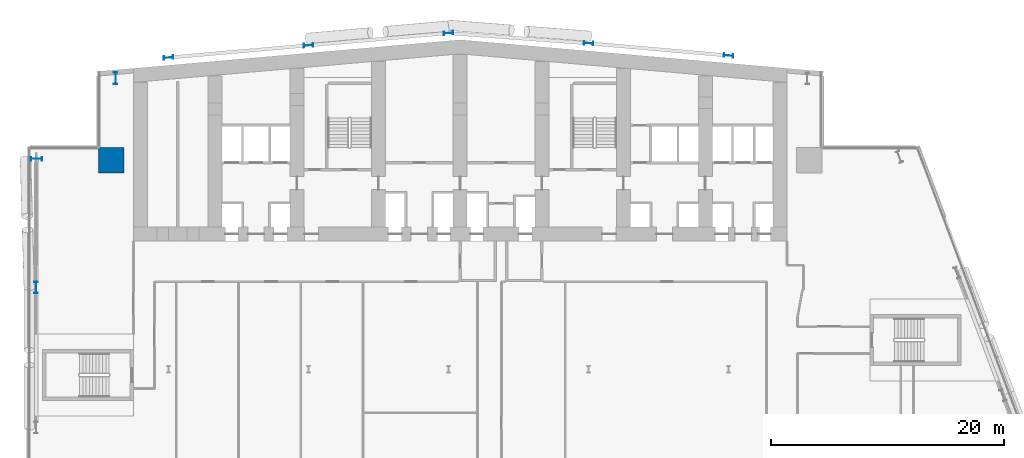
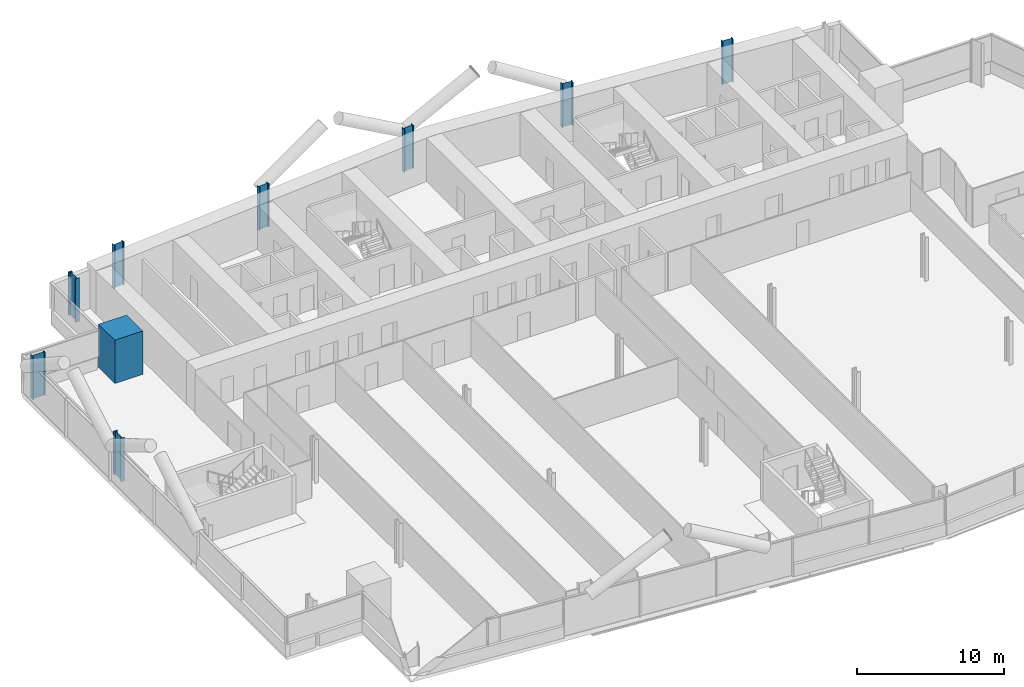
# One storey, part 2 of 24: 9 columns.
"""IFC4 building model written with IfcOpenShell, lengths in metres."""

from ifc_helpers import new_model, si_unit, direction, frame, origin, origin_2d, place, context, subcontext, project, spatial, rectangle, i_section, extrude, material, material_profile, profile_set, type_object, element, save


model = new_model("IFC4")

# Units and contexts
model_context = context("Model", 3, precision=1e-05, world=origin(), true_north=direction((0.0, 1.0)))
body_context = subcontext(model_context, "Body", "Model", "MODEL_VIEW")
ifc_project = project(units=[si_unit("LENGTHUNIT", "METRE"), si_unit("AREAUNIT", "SQUARE_METRE"), si_unit("VOLUMEUNIT", "CUBIC_METRE"), si_unit("PLANEANGLEUNIT", "RADIAN"), si_unit("MASSUNIT", "GRAM", prefix="KILO")], contexts=[model_context])

# Site, building, storey
site_placement = place(None, origin())
site = spatial("IfcSite", under=ifc_project, at=site_placement, CompositionType="ELEMENT")
building_placement = place(site_placement, origin())
building = spatial("IfcBuilding", under=site, at=building_placement, Name="Wharfspan Tower", CompositionType="ELEMENT")
storey_placement = place(building_placement, frame((0.0, 0.0, 66.699951)))
storey = spatial("IfcBuildingStorey", under=building, at=storey_placement, Name="L13", CompositionType="ELEMENT", Elevation=66.699951)

# Columns
ifc_material_1 = material(Name="Steel S355J2", Category="steel")
ifc_material_profile_1 = material_profile(ifc_material_1, i_section(OverallWidth=0.302002, OverallDepth=1.008057, WebThickness=0.020996, FlangeThickness=0.040039, FilletRadius=0.030029, at=origin_2d()))
ifc_profile_set_1 = profile_set([ifc_material_profile_1], Name="Steel S355J2")
column_type_1 = type_object("IfcColumnType", Name="Column HEM 1000", PredefinedType="COLUMN", material=ifc_profile_set_1)
for number, where, z_axis, x_axis, name in (
    (1, (7.466553, 47.933594, 0.0), (0.0, 0.0, 1.0), (-1.0, 0.0, 0.0), "Perimeter column PNRW-V.1 L13"),
    (2, (0.684814, 41.03418, 0.0), (0.0, 0.0, 1.0), (0.0, 1.0, 0.0), "Perimeter column PNRW-H.1 L13"),
    (3, (0.659912, 30.0, 0.0), (0.0, 0.0, 1.0), (-1.0, 0.0, 0.0), "Perimeter column PW.1 L13"),
):
    element("IfcColumn", number, at=place(storey_placement, frame(where, z_axis=z_axis, x_axis=x_axis)), inside=storey, type_object=column_type_1, Name=name, PredefinedType="COLUMN", context=body_context, shape_type="SweptSolid", body=[
        extrude(i_section(OverallWidth=0.302002, OverallDepth=1.008057, WebThickness=0.020996, FlangeThickness=0.040039, FilletRadius=0.030029, at=origin_2d()), origin(), (0.0, 0.0, 1.0), 3.600098),
    ])
ifc_material_profile_2 = material_profile(ifc_material_1, i_section(OverallWidth=0.302979, OverallDepth=0.813965, WebThickness=0.020996, FlangeThickness=0.040039, FilletRadius=0.030029, at=origin_2d()))
ifc_profile_set_2 = profile_set([ifc_material_profile_2], Name="Steel S355J2")
column_type_2 = type_object("IfcColumnType", Name="Column HEM 800", PredefinedType="COLUMN", material=ifc_profile_set_2)
for number, where, z_axis, x_axis, name in (
    (4, (12.0, 49.709961, 0.0), (0.0, 0.0, 1.0), (-0.087156, 0.996197, 0.0), "Rear column R.1 L13"),
    (5, (24.0, 50.759766, 0.0), (0.0, 0.0, 1.0), (-0.087156, 0.996197, 0.0), "Rear column R.2 L13"),
    (6, (36.0, 51.80957, 0.0), (0.0, 0.0, 1.0), (-0.087156, 0.996197, 0.0), "Rear column R.3 L13"),
    (7, (48.0, 50.934814, 0.0), (0.0, 0.0, 1.0), (0.087156, 0.996197, 0.0), "Rear column R.4 L13"),
    (8, (60.0, 49.884766, 0.0), (0.0, 0.0, 1.0), (0.087156, 0.996197, 0.0), "Rear column R.5 L13"),
):
    element("IfcColumn", number, at=place(storey_placement, frame(where, z_axis=z_axis, x_axis=x_axis)), inside=storey, type_object=column_type_2, Name=name, PredefinedType="COLUMN", context=body_context, shape_type="SweptSolid", body=[
        extrude(i_section(OverallWidth=0.302979, OverallDepth=0.813965, WebThickness=0.020996, FlangeThickness=0.040039, FilletRadius=0.030029, at=origin_2d()), origin(), (0.0, 0.0, 1.0), 3.600098),
    ])
ifc_material_2 = material(Name="Concrete C70/85", Category="concrete")
ifc_material_profile_3 = material_profile(ifc_material_2, rectangle(XDim=2.199951, YDim=2.199951, at=origin_2d()))
ifc_profile_set_3 = profile_set([ifc_material_profile_3], Name="Concrete C70/85")
column_type_3 = type_object("IfcColumnType", Name="Mega column 2200 C70/85", PredefinedType="COLUMN", material=ifc_profile_set_3)
column_placement = place(storey_placement, frame((7.100098, 40.899902, 0.0), z_axis=(0.0, 0.0, 1.0), x_axis=(1.0, 0.0, 0.0)))
element("IfcColumn", 9, at=column_placement, inside=storey, type_object=column_type_3, Name="Mega column MC2 L13", PredefinedType="COLUMN", context=body_context, shape_type="SweptSolid", body=[
    extrude(rectangle(XDim=2.199951, YDim=2.199951, at=origin_2d()), origin(), (0.0, 0.0, 1.0), 3.600098),
])

save(model, "model.ifc")
